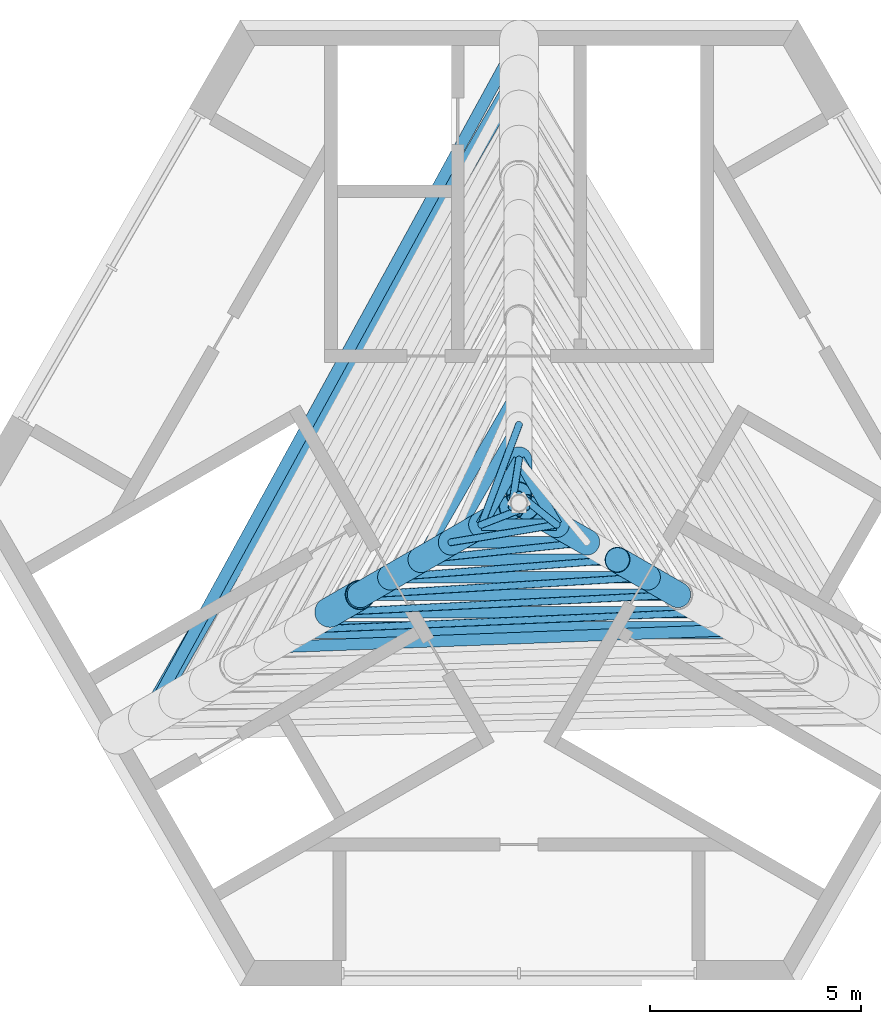
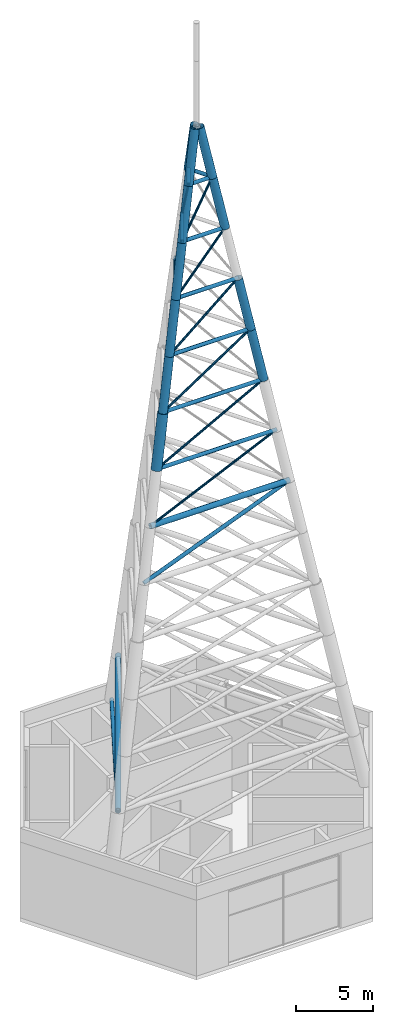
# One storey, part 2 of 10: 35 members.
"""IFC4 building model written with IfcOpenShell, lengths in metres."""

from ifc_helpers import new_model, si_unit, direction, frame, origin, origin_2d, place, context, subcontext, project, spatial, hollow_circle, extrude, material, material_profile, profile_set, type_object, element, save


model = new_model("IFC4")

# Units and contexts
model_context = context("Model", 3, precision=1e-05, world=origin(), true_north=direction((0.0, 1.0)))
body_context = subcontext(model_context, "Body", "Model", "MODEL_VIEW")
ifc_project = project(units=[si_unit("LENGTHUNIT", "METRE"), si_unit("AREAUNIT", "SQUARE_METRE"), si_unit("VOLUMEUNIT", "CUBIC_METRE"), si_unit("PLANEANGLEUNIT", "RADIAN"), si_unit("MASSUNIT", "GRAM", prefix="KILO")], contexts=[model_context])

# Site, building, storey
site_placement = place(None, origin())
site = spatial("IfcSite", under=ifc_project, at=site_placement, CompositionType="ELEMENT")
building_placement = place(site_placement, origin())
building = spatial("IfcBuilding", under=site, at=building_placement, Name="Impinga Residences", CompositionType="ELEMENT")
storey_placement = place(building_placement, frame((0.0, 0.0, 301.75)))
storey = spatial("IfcBuildingStorey", under=building, at=storey_placement, Name="L75", CompositionType="ELEMENT", Elevation=301.75)

# Members
ifc_material = material(Name="Steel S355J2H", Category="steel")
ifc_material_profile_1 = material_profile(ifc_material, hollow_circle(Radius=0.35546875, WallThickness=0.02001953125, at=origin_2d()), Name="CHS 711x20")
ifc_profile_set_1 = profile_set([ifc_material_profile_1], Name="Steel S355J2H")
member_type_1 = type_object("IfcMemberType", Name="SP2 SPIRE CHS 711x20", PredefinedType="MEMBER", material=ifc_profile_set_1)
member_1_placement = place(storey_placement, frame((-4.482666015625, -2.588134765625, 34.0), z_axis=(0.175825217786, 0.101538764452, 0.979170757378), x_axis=(-0.500096139896, 0.865969890274, 0.0)))
element("IfcMember", 1, at=member_1_placement, inside=storey, type_object=member_type_1, Name="SPIRE leg W panel 8", PredefinedType="MEMBER", context=body_context, shape_type="SweptSolid", body=[
    extrude(hollow_circle(Radius=0.35546875, WallThickness=0.02001953125, at=origin_2d()), origin(), (0.0, 0.0, 1.0), 4.085205078125),
])
ifc_material_profile_2 = material_profile(ifc_material, hollow_circle(Radius=0.304931640625, WallThickness=0.01611328125, at=origin_2d()), Name="CHS 610x16")
ifc_profile_set_2 = profile_set([ifc_material_profile_2], Name="Steel S355J2H")
member_type_2 = type_object("IfcMemberType", Name="SP3 SPIRE CHS 610x16", PredefinedType="MEMBER", material=ifc_profile_set_2)
for number, where, z_axis, x_axis, name in (
    (2, (-3.764404296875, -2.17333984375, 38.0), (0.17582628445, 0.101479616246, 0.979176697631), (-0.499875358948, 0.866097353371, 0.0), "SPIRE leg W panel 9"),
    (3, (3.764404296875, -2.17333984375, 38.0), (-0.17582628445, 0.101479616246, 0.979176697631), (-0.499875358948, -0.866097353371, 0.0), "SPIRE leg E panel 9"),
):
    element("IfcMember", number, at=place(storey_placement, frame(where, z_axis=z_axis, x_axis=x_axis)), inside=storey, type_object=member_type_2, Name=name, PredefinedType="MEMBER", context=body_context, shape_type="SweptSolid", body=[
        extrude(hollow_circle(Radius=0.304931640625, WallThickness=0.01611328125, at=origin_2d()), origin(), (0.0, 0.0, 1.0), 4.0849609375),
    ])
for number, where, z_axis, x_axis, name in (
    (4, (-3.046142578125, -1.7587890625, 42.0), (0.175825217786, 0.101538764452, 0.979170757378), (-0.500096139896, 0.865969890274, 0.0), "SPIRE leg W panel 10"),
    (5, (3.046142578125, -1.7587890625, 42.0), (-0.175825217786, 0.101538764452, 0.979170757378), (-0.500096139896, -0.865969890274, 0.0), "SPIRE leg E panel 10"),
):
    element("IfcMember", number, at=place(storey_placement, frame(where, z_axis=z_axis, x_axis=x_axis)), inside=storey, type_object=member_type_2, Name=name, PredefinedType="MEMBER", context=body_context, shape_type="SweptSolid", body=[
        extrude(hollow_circle(Radius=0.304931640625, WallThickness=0.01611328125, at=origin_2d()), origin(), (0.0, 0.0, 1.0), 4.085205078125),
    ])
member_2_placement = place(storey_placement, frame((-2.327880859375, -1.343994140625, 46.0), z_axis=(0.17582628445, 0.101479616246, 0.979176697631), x_axis=(-0.499875358948, 0.866097353371, 0.0)))
element("IfcMember", 6, at=member_2_placement, inside=storey, type_object=member_type_2, Name="SPIRE leg W panel 11", PredefinedType="MEMBER", context=body_context, shape_type="SweptSolid", body=[
    extrude(hollow_circle(Radius=0.304931640625, WallThickness=0.01611328125, at=origin_2d()), origin(), (0.0, 0.0, 1.0), 4.0849609375),
])
for number, where, z_axis, x_axis, name in (
    (7, (-1.609619140625, -0.929443359375, 50.0), (0.175825217786, 0.101538764452, 0.979170757378), (-0.500096139896, 0.865969890274, 0.0), "SPIRE leg W panel 12"),
    (8, (1.609619140625, -0.929443359375, 50.0), (-0.175825217786, 0.101538764452, 0.979170757378), (-0.500096139896, -0.865969890274, 0.0), "SPIRE leg E panel 12"),
):
    element("IfcMember", number, at=place(storey_placement, frame(where, z_axis=z_axis, x_axis=x_axis)), inside=storey, type_object=member_type_2, Name=name, PredefinedType="MEMBER", context=body_context, shape_type="SweptSolid", body=[
        extrude(hollow_circle(Radius=0.304931640625, WallThickness=0.01611328125, at=origin_2d()), origin(), (0.0, 0.0, 1.0), 4.085205078125),
    ])
for number, where, z_axis, x_axis, name in (
    (9, (0.0, 1.029296875, 54.0), (0.0, -0.203018619263, 0.979174877247), (1.0, 0.0, 0.0), "SPIRE leg N panel 13"),
    (10, (-0.891357421875, -0.5146484375, 54.0), (0.17582628445, 0.101479616246, 0.979176697631), (-0.499875358948, 0.866097353371, 0.0), "SPIRE leg W panel 13"),
    (11, (0.891357421875, -0.5146484375, 54.0), (-0.17582628445, 0.101479616246, 0.979176697631), (-0.499875358948, -0.866097353371, 0.0), "SPIRE leg E panel 13"),
):
    element("IfcMember", number, at=place(storey_placement, frame(where, z_axis=z_axis, x_axis=x_axis)), inside=storey, type_object=member_type_2, Name=name, PredefinedType="MEMBER", context=body_context, shape_type="SweptSolid", body=[
        extrude(hollow_circle(Radius=0.304931640625, WallThickness=0.01611328125, at=origin_2d()), origin(), (0.0, 0.0, 1.0), 4.0849609375),
    ])
ifc_material_profile_3 = material_profile(ifc_material, hollow_circle(Radius=0.203125, WallThickness=0.012451171875, at=origin_2d()), Name="CHS 406.4x12.5")
ifc_profile_set_3 = profile_set([ifc_material_profile_3], Name="Steel S355J2H")
member_type_3 = type_object("IfcMemberType", Name="SP4 SPIRE CHS 406.4x12.5", PredefinedType="MEMBER", material=ifc_profile_set_3)
member_3_placement = place(storey_placement, frame((0.0, 10.152099609375, 10.0), z_axis=(-0.499997677443, -0.866026744709, 0.0), x_axis=(0.866026744709, -0.499997677443, 0.0)))
element("IfcMember", 12, at=member_3_placement, inside=storey, type_object=member_type_3, Name="SPIRE ring N-W panel 1", PredefinedType="MEMBER", context=body_context, shape_type="SweptSolid", body=[
    extrude(hollow_circle(Radius=0.203125, WallThickness=0.012451171875, at=origin_2d()), origin(), (0.0, 0.0, 1.0), 17.583984375),
])
member_4_placement = place(storey_placement, frame((-5.200927734375, -3.002685546875, 30.0), z_axis=(1.0, 0.0, 0.0), x_axis=(0.0, 1.0, 0.0)))
element("IfcMember", 13, at=member_4_placement, inside=storey, type_object=member_type_3, Name="SPIRE ring W-E panel 6", PredefinedType="MEMBER", context=body_context, shape_type="SweptSolid", body=[
    extrude(hollow_circle(Radius=0.203125, WallThickness=0.012451171875, at=origin_2d()), origin(), (0.0, 0.0, 1.0), 10.40185546875),
])
ifc_material_profile_4 = material_profile(ifc_material, hollow_circle(Radius=0.136474609375, WallThickness=0.010009765625, at=origin_2d()), Name="CHS 273x10")
ifc_profile_set_4 = profile_set([ifc_material_profile_4], Name="Steel S355J2H")
member_type_4 = type_object("IfcMemberType", Name="SP5 SPIRE CHS 273x10", PredefinedType="BRACE", material=ifc_profile_set_4)
member_5_placement = place(storey_placement, frame((0.0, 10.9814453125, 6.0), z_axis=(-0.469184125078, -0.856913758597, 0.213459755228), x_axis=(0.877129974787, -0.480253065925, 0.0)))
element("IfcMember", 14, at=member_5_placement, inside=storey, type_object=member_type_4, Name="SPIRE diagonal N-W panel 1", PredefinedType="BRACE", context=body_context, shape_type="SweptSolid", body=[
    extrude(hollow_circle(Radius=0.136474609375, WallThickness=0.010009765625, at=origin_2d()), origin(), (0.0, 0.0, 1.0), 18.739013671875),
])
member_6_placement = place(storey_placement, frame((-5.919189453125, -3.41748046875, 26.0), z_axis=(0.940395718684, 0.035077990824, 0.338268276432), x_axis=(-0.037275385269, 0.999305031336, 0.0)))
element("IfcMember", 15, at=member_6_placement, inside=storey, type_object=member_type_4, Name="SPIRE diagonal W-E panel 6", PredefinedType="BRACE", context=body_context, shape_type="SweptSolid", body=[
    extrude(hollow_circle(Radius=0.136474609375, WallThickness=0.010009765625, at=origin_2d()), origin(), (0.0, 0.0, 1.0), 11.824951171875),
])
member_7_placement = place(storey_placement, frame((-4.482666015625, -2.588134765625, 34.0), z_axis=(1.0, 0.0, 0.0), x_axis=(0.0, 1.0, 0.0)))
element("IfcMember", 16, at=member_7_placement, inside=storey, type_object=member_type_4, Name="SPIRE ring W-E panel 7", PredefinedType="BRACE", context=body_context, shape_type="SweptSolid", body=[
    extrude(hollow_circle(Radius=0.136474609375, WallThickness=0.010009765625, at=origin_2d()), origin(), (0.0, 0.0, 1.0), 8.96533203125),
])
member_8_placement = place(storey_placement, frame((-3.764404296875, -2.17333984375, 38.0), z_axis=(1.0, 0.0, 0.0), x_axis=(0.0, 1.0, 0.0)))
element("IfcMember", 17, at=member_8_placement, inside=storey, type_object=member_type_4, Name="SPIRE ring W-E panel 8", PredefinedType="BRACE", context=body_context, shape_type="SweptSolid", body=[
    extrude(hollow_circle(Radius=0.136474609375, WallThickness=0.010009765625, at=origin_2d()), origin(), (0.0, 0.0, 1.0), 7.52880859375),
])
member_9_placement = place(storey_placement, frame((-3.046142578125, -1.7587890625, 42.0), z_axis=(1.0, 0.0, 0.0), x_axis=(0.0, 1.0, 0.0)))
element("IfcMember", 18, at=member_9_placement, inside=storey, type_object=member_type_4, Name="SPIRE ring W-E panel 9", PredefinedType="BRACE", context=body_context, shape_type="SweptSolid", body=[
    extrude(hollow_circle(Radius=0.136474609375, WallThickness=0.010009765625, at=origin_2d()), origin(), (0.0, 0.0, 1.0), 6.09228515625),
])
for number, where, z_axis, x_axis, name in (
    (19, (0.0, 2.68798828125, 46.0), (-0.500002371706, -0.866024034475, 0.0), (0.866024034475, -0.500002371706, 0.0), "SPIRE ring N-W panel 10"),
    (20, (-2.327880859375, -1.343994140625, 46.0), (1.0, 0.0, 0.0), (0.0, 1.0, 0.0), "SPIRE ring W-E panel 10"),
):
    element("IfcMember", number, at=place(storey_placement, frame(where, z_axis=z_axis, x_axis=x_axis)), inside=storey, type_object=member_type_4, Name=name, PredefinedType="BRACE", context=body_context, shape_type="SweptSolid", body=[
        extrude(hollow_circle(Radius=0.136474609375, WallThickness=0.010009765625, at=origin_2d()), origin(), (0.0, 0.0, 1.0), 4.65576171875),
    ])
member_10_placement = place(storey_placement, frame((0.0, 1.858642578125, 50.0), z_axis=(-0.499980657714, -0.866036570771, 0.0), x_axis=(0.866036570771, -0.499980657714, 0.0)))
element("IfcMember", 21, at=member_10_placement, inside=storey, type_object=member_type_4, Name="SPIRE ring N-W panel 11", PredefinedType="BRACE", context=body_context, shape_type="SweptSolid", body=[
    extrude(hollow_circle(Radius=0.136474609375, WallThickness=0.010009765625, at=origin_2d()), origin(), (0.0, 0.0, 1.0), 3.219482421875),
])
member_11_placement = place(storey_placement, frame((-1.609619140625, -0.929443359375, 50.0), z_axis=(1.0, 0.0, 0.0), x_axis=(0.0, 1.0, 0.0)))
element("IfcMember", 22, at=member_11_placement, inside=storey, type_object=member_type_4, Name="SPIRE ring W-E panel 11", PredefinedType="BRACE", context=body_context, shape_type="SweptSolid", body=[
    extrude(hollow_circle(Radius=0.136474609375, WallThickness=0.010009765625, at=origin_2d()), origin(), (0.0, 0.0, 1.0), 3.21923828125),
])
for number, where, z_axis, x_axis, name in (
    (23, (0.0, 1.029296875, 54.0), (-0.499983247966, -0.86603507536, 0.0), (0.86603507536, -0.499983247966, 0.0), "SPIRE ring N-W panel 12"),
    (24, (-0.891357421875, -0.5146484375, 54.0), (1.0, 0.0, 0.0), (0.0, 1.0, 0.0), "SPIRE ring W-E panel 12"),
    (25, (0.891357421875, -0.5146484375, 54.0), (-0.499983247966, 0.86603507536, 0.0), (-0.86603507536, -0.499983247966, 0.0), "SPIRE ring E-N panel 12"),
):
    element("IfcMember", number, at=place(storey_placement, frame(where, z_axis=z_axis, x_axis=x_axis)), inside=storey, type_object=member_type_4, Name=name, PredefinedType="BRACE", context=body_context, shape_type="SweptSolid", body=[
        extrude(hollow_circle(Radius=0.136474609375, WallThickness=0.010009765625, at=origin_2d()), origin(), (0.0, 0.0, 1.0), 1.78271484375),
    ])
ifc_material_profile_5 = material_profile(ifc_material, hollow_circle(Radius=0.084228515625, WallThickness=0.008056640625, at=origin_2d()), Name="CHS 168.3x8")
ifc_profile_set_5 = profile_set([ifc_material_profile_5], Name="Steel S355J2H")
member_type_5 = type_object("IfcMemberType", Name="SP6 SPIRE CHS 168.3x8", PredefinedType="BRACE", material=ifc_profile_set_5)
member_12_placement = place(storey_placement, frame((-5.200927734375, -3.002685546875, 30.0), z_axis=(0.92353021807, 0.03953595982, 0.381482429731), x_axis=(-0.042770426719, 0.999084926619, 0.0)))
element("IfcMember", 26, at=member_12_placement, inside=storey, type_object=member_type_5, Name="SPIRE diagonal W-E panel 7", PredefinedType="BRACE", context=body_context, shape_type="SweptSolid", body=[
    extrude(hollow_circle(Radius=0.084228515625, WallThickness=0.008056640625, at=origin_2d()), origin(), (0.0, 0.0, 1.0), 10.4853515625),
])
member_13_placement = place(storey_placement, frame((-4.482666015625, -2.588134765625, 34.0), z_axis=(0.898833360644, 0.045207752508, 0.435952805826), x_axis=(-0.05023253689, 0.998737549228, 0.0)))
element("IfcMember", 27, at=member_13_placement, inside=storey, type_object=member_type_5, Name="SPIRE diagonal W-E panel 8", PredefinedType="BRACE", context=body_context, shape_type="SweptSolid", body=[
    extrude(hollow_circle(Radius=0.084228515625, WallThickness=0.008056640625, at=origin_2d()), origin(), (0.0, 0.0, 1.0), 9.17529296875),
])
member_14_placement = place(storey_placement, frame((-3.764404296875, -2.17333984375, 38.0), z_axis=(0.861092050507, 0.052413761893, 0.505740326767), x_axis=(-0.060756493586, 0.998152617833, 0.0)))
element("IfcMember", 28, at=member_14_placement, inside=storey, type_object=member_type_5, Name="SPIRE diagonal W-E panel 9", PredefinedType="BRACE", context=body_context, shape_type="SweptSolid", body=[
    extrude(hollow_circle(Radius=0.084228515625, WallThickness=0.008056640625, at=origin_2d()), origin(), (0.0, 0.0, 1.0), 7.9091796875),
])
member_15_placement = place(storey_placement, frame((-3.046142578125, -1.7587890625, 42.0), z_axis=(0.800648026841, 0.061798155443, 0.595939363609), x_axis=(-0.07695627667, 0.997034468552, 0.0)))
element("IfcMember", 29, at=member_15_placement, inside=storey, type_object=member_type_5, Name="SPIRE diagonal W-E panel 10", PredefinedType="BRACE", context=body_context, shape_type="SweptSolid", body=[
    extrude(hollow_circle(Radius=0.084228515625, WallThickness=0.008056640625, at=origin_2d()), origin(), (0.0, 0.0, 1.0), 6.712158203125),
])
member_16_placement = place(storey_placement, frame((-2.327880859375, -1.343994140625, 46.0), z_axis=(0.699611685014, 0.073657033802, 0.710716632395), x_axis=(-0.104704043677, 0.994503425453, 0.0)))
element("IfcMember", 30, at=member_16_placement, inside=storey, type_object=member_type_5, Name="SPIRE diagonal W-E panel 11", PredefinedType="BRACE", context=body_context, shape_type="SweptSolid", body=[
    extrude(hollow_circle(Radius=0.084228515625, WallThickness=0.008056640625, at=origin_2d()), origin(), (0.0, 0.0, 1.0), 5.628173828125),
])
member_17_placement = place(storey_placement, frame((0.0, 1.858642578125, 50.0), z_axis=(-0.188220108512, -0.501146993932, 0.844644825489), x_axis=(0.936150964537, -0.351598310002, 0.0)))
element("IfcMember", 31, at=member_17_placement, inside=storey, type_object=member_type_5, Name="SPIRE diagonal N-W panel 12", PredefinedType="BRACE", context=body_context, shape_type="SweptSolid", body=[
    extrude(hollow_circle(Radius=0.084228515625, WallThickness=0.008056640625, at=origin_2d()), origin(), (0.0, 0.0, 1.0), 4.73583984375),
])
member_18_placement = place(storey_placement, frame((-1.609619140625, -0.929443359375, 50.0), z_axis=(0.528110284231, 0.087588771272, 0.844646514725), x_axis=(-0.163618103969, 0.986523753416, 0.0)))
element("IfcMember", 32, at=member_18_placement, inside=storey, type_object=member_type_5, Name="SPIRE diagonal W-E panel 12", PredefinedType="BRACE", context=body_context, shape_type="SweptSolid", body=[
    extrude(hollow_circle(Radius=0.084228515625, WallThickness=0.008056640625, at=origin_2d()), origin(), (0.0, 0.0, 1.0), 4.735595703125),
])
for number, where, z_axis, x_axis, name in (
    (33, (0.0, 1.029296875, 54.0), (-0.041609671298, -0.271489900459, 0.96154140275), (0.988457995753, -0.151495183526, 0.0), "SPIRE diagonal N-W panel 13"),
    (34, (-0.891357421875, -0.5146484375, 54.0), (0.255883235579, 0.099653608719, 0.961557553149), (-0.362900019407, 0.931828082811, 0.0), "SPIRE diagonal W-E panel 13"),
    (35, (0.891357421875, -0.5146484375, 54.0), (-0.214271269035, 0.171780883173, 0.961550389445), (-0.625502606953, -0.780222076524, 0.0), "SPIRE diagonal E-N panel 13"),
):
    element("IfcMember", number, at=place(storey_placement, frame(where, z_axis=z_axis, x_axis=x_axis)), inside=storey, type_object=member_type_5, Name=name, PredefinedType="BRACE", context=body_context, shape_type="SweptSolid", body=[
        extrude(hollow_circle(Radius=0.084228515625, WallThickness=0.008056640625, at=origin_2d()), origin(), (0.0, 0.0, 1.0), 4.159912109375),
    ])

save(model, "model.ifc")
